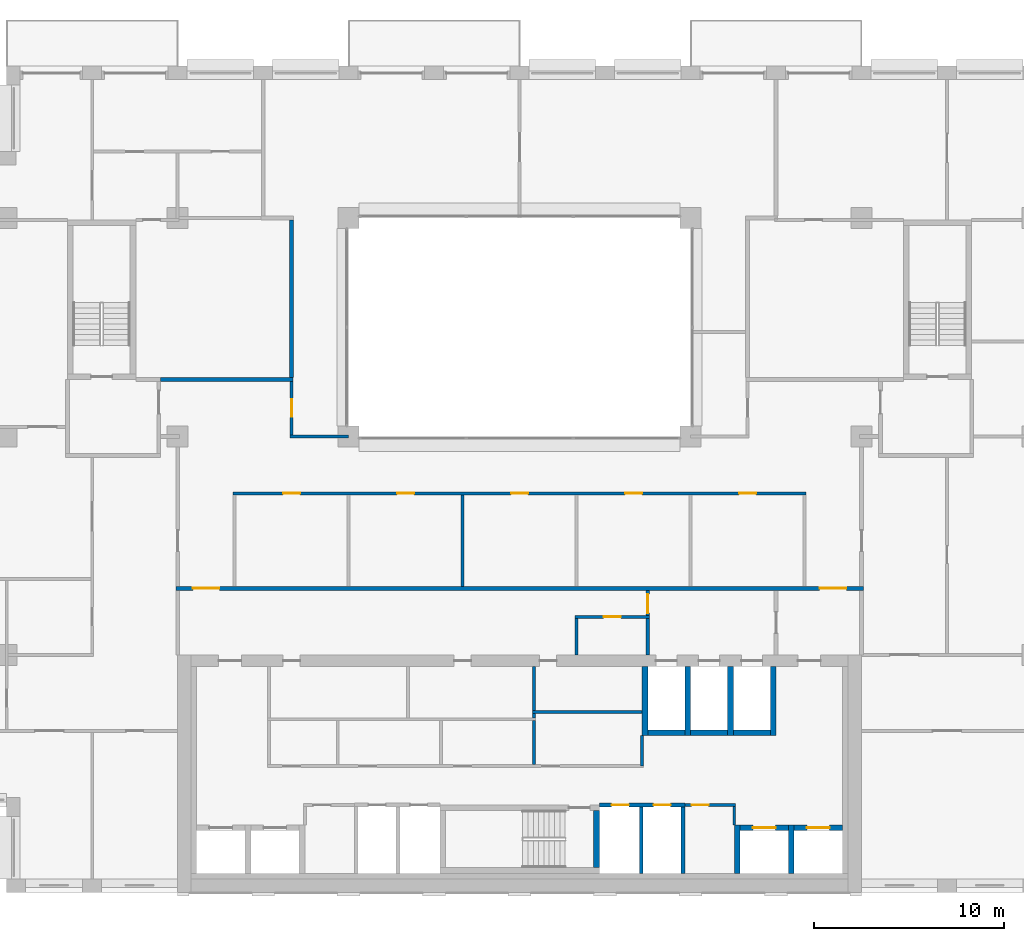
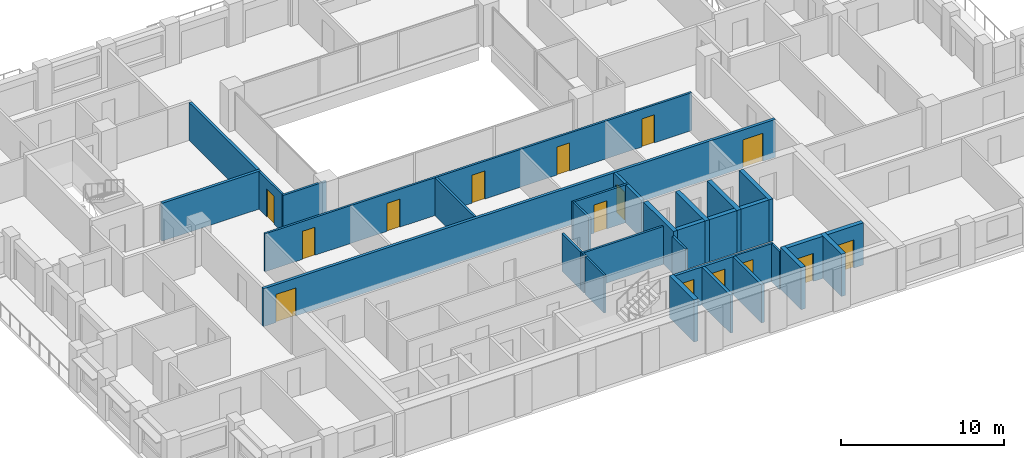
# One storey, part 10 of 16: 33 walls, 15 doors, 15 openings.
"""IFC4 building model written with IfcOpenShell, lengths in metres."""

from ifc_helpers import new_model, si_unit, direction, frame, frame_2d, origin, place, context, subcontext, project, spatial, rectangle, extrude, material, layer, layer_set, type_object, element, fill, save


model = new_model("IFC4")

# Units and contexts
model_context = context("Model", 3, precision=1e-05, world=origin(), true_north=direction((0.0, 1.0)))
body_context = subcontext(model_context, "Body", "Model", "MODEL_VIEW")
ifc_project = project(units=[si_unit("LENGTHUNIT", "METRE"), si_unit("AREAUNIT", "SQUARE_METRE"), si_unit("VOLUMEUNIT", "CUBIC_METRE"), si_unit("PLANEANGLEUNIT", "RADIAN"), si_unit("MASSUNIT", "GRAM", prefix="KILO")], contexts=[model_context])

# Site, building, storey
site_placement = place(None, origin())
site = spatial("IfcSite", under=ifc_project, at=site_placement, CompositionType="ELEMENT")
building_placement = place(site_placement, origin())
building = spatial("IfcBuilding", under=site, at=building_placement, Name="Brigalow Station Residences", CompositionType="ELEMENT")
storey_placement = place(building_placement, frame((0.0, 0.0, 160.199951171875)))
storey = spatial("IfcBuildingStorey", under=building, at=storey_placement, Name="L46", CompositionType="ELEMENT", Elevation=160.199951171875)

# Walls
ifc_material_1 = material(Name="Concrete C65", Category="concrete")
ifc_layer_1 = layer(ifc_material_1, 0.300048828125)
ifc_layer_set_1 = layer_set([ifc_layer_1], Name="CORE SHEAR WALL 300 C65")
wall_type_1 = type_object("IfcWallType", Name="CORE SHEAR WALL 300 C65", PredefinedType="SHEAR", material=ifc_layer_set_1)
wall_1_placement = place(storey_placement, frame((42.75, 8.39990234375, 0.0), z_axis=(0.0, 0.0, 1.0), x_axis=(1.0, 0.0, 0.0)))
element("IfcWall", 1, at=wall_1_placement, inside=storey, type_object=wall_type_1, Name="CORE WALL SH-FF1-S L46", PredefinedType="SHEAR", context=body_context, shape_type="SweptSolid", body=[
    extrude(rectangle(XDim=1.949951171875, YDim=0.300048828125, at=frame_2d((0.97509765625, 0.0))), origin(), (0.0, 0.0, 1.0), 3.150146484375),
])
wall_2_placement = place(storey_placement, frame((42.60009765625, 8.25, 0.0), z_axis=(0.0, 0.0, 1.0), x_axis=(0.0, 1.0, 0.0)))
element("IfcWall", 2, at=wall_2_placement, inside=storey, type_object=wall_type_1, Name="CORE WALL SH-FF1-W L46", PredefinedType="SHEAR", context=body_context, shape_type="SweptSolid", body=[
    extrude(rectangle(XDim=3.64990234375, YDim=0.300048828125, at=frame_2d((1.824951171875, 0.0))), origin(), (0.0, 0.0, 1.0), 3.150146484375),
])
wall_3_placement = place(storey_placement, frame((45.0, 8.39990234375, 0.0), z_axis=(0.0, 0.0, 1.0), x_axis=(1.0, 0.0, 0.0)))
element("IfcWall", 3, at=wall_3_placement, inside=storey, type_object=wall_type_1, Name="CORE WALL SH-FF2-S L46", PredefinedType="SHEAR", context=body_context, shape_type="SweptSolid", body=[
    extrude(rectangle(XDim=1.949951171875, YDim=0.300048828125, at=frame_2d((0.97509765625, 0.0))), origin(), (0.0, 0.0, 1.0), 3.150146484375),
])
wall_4_placement = place(storey_placement, frame((44.85009765625, 8.25, 0.0), z_axis=(0.0, 0.0, 1.0), x_axis=(0.0, 1.0, 0.0)))
element("IfcWall", 4, at=wall_4_placement, inside=storey, type_object=wall_type_1, Name="CORE WALL SH-FF2-W L46", PredefinedType="SHEAR", context=body_context, shape_type="SweptSolid", body=[
    extrude(rectangle(XDim=3.64990234375, YDim=0.300048828125, at=frame_2d((1.824951171875, 0.0))), origin(), (0.0, 0.0, 1.0), 3.150146484375),
])
wall_5_placement = place(storey_placement, frame((47.25, 8.39990234375, 0.0), z_axis=(0.0, 0.0, 1.0), x_axis=(1.0, 0.0, 0.0)))
element("IfcWall", 5, at=wall_5_placement, inside=storey, type_object=wall_type_1, Name="CORE WALL SH-SL1-S L46", PredefinedType="SHEAR", context=body_context, shape_type="SweptSolid", body=[
    extrude(rectangle(XDim=1.949951171875, YDim=0.300048828125, at=frame_2d((0.97509765625, 0.0))), origin(), (0.0, 0.0, 1.0), 3.150146484375),
])
for number, where, z_axis, x_axis, name in (
    (6, (47.10009765625, 8.25, 0.0), (0.0, 0.0, 1.0), (0.0, 1.0, 0.0), "CORE WALL SH-SL1-W L46"),
    (7, (49.35009765625, 8.25, 0.0), (0.0, 0.0, 1.0), (0.0, 1.0, 0.0), "CORE WALL SH-SL1-E L46"),
):
    element("IfcWall", number, at=place(storey_placement, frame(where, z_axis=z_axis, x_axis=x_axis)), inside=storey, type_object=wall_type_1, Name=name, PredefinedType="SHEAR", context=body_context, shape_type="SweptSolid", body=[
        extrude(rectangle(XDim=3.64990234375, YDim=0.300048828125, at=frame_2d((1.824951171875, 0.0))), origin(), (0.0, 0.0, 1.0), 3.150146484375),
    ])

# Wall, opening, door
wall_6_placement = place(storey_placement, frame((47.60009765625, 3.39990234375, 0.0), z_axis=(0.0, 0.0, 1.0), x_axis=(1.0, 0.0, 0.0)))
wall_6 = element("IfcWall", 8, at=wall_6_placement, inside=storey, type_object=wall_type_1, Name="CORE WALL SH-C3-N L46", PredefinedType="SHEAR", context=body_context, shape_type="SweptSolid", body=[
    extrude(rectangle(XDim=2.5498046875, YDim=0.300048828125, at=frame_2d((1.27490234375, 0.0))), origin(), (0.0, 0.0, 1.0), 3.150146484375),
])
opening_1_placement = place(wall_6_placement, frame((0.675048828125, 0.0, 0.0)))
opening_1 = element("IfcOpeningElement", 9, at=opening_1_placement, cuts=wall_6, Name="Opening LD-LB3", PredefinedType="OPENING", context=body_context, shape_type="SweptSolid", body=[
    extrude(rectangle(XDim=1.199951171875, YDim=2.10009765625, at=frame_2d((0.60009765625, 1.050048828125))), frame((0.0, 0.16015625, 0.0), z_axis=(0.0, -1.0, 0.0), x_axis=(1.0, 0.0, 0.0)), (0.0, 0.0, 1.0), 0.320068359375),
])
ifc_material_2 = material(Name="Stainless steel sliding door leaves", Category="steel")
door_type_1 = type_object("IfcDoorType", Name="LIFT LANDING DOOR 1200 x 2100", OperationType="DOUBLE_DOOR_SLIDING", PredefinedType="DOOR", material=ifc_material_2)
door_1_placement = place(opening_1_placement, origin())
door_1 = element("IfcDoor", 10, at=door_1_placement, inside=storey, type_object=door_type_1, Name="LANDING DOOR LB3", OperationType="DOUBLE_DOOR_SLIDING", OverallHeight=2.10009765625, OverallWidth=1.199951171875, PredefinedType="DOOR", context=body_context, shape_type="SweptSolid", body=[
    extrude(rectangle(XDim=1.199951171875, YDim=2.10009765625, at=frame_2d((0.60009765625, 1.050048828125))), frame((0.0, 0.02490234375, 0.0), z_axis=(0.0, -1.0, 0.0), x_axis=(1.0, 0.0, 0.0)), (0.0, 0.0, 1.0), 0.050048828125),
])
fill(opening_1, door_1)

# Wall
wall_7_placement = place(storey_placement, frame((47.449951171875, 1.0, 0.0), z_axis=(0.0, 0.0, 1.0), x_axis=(0.0, 1.0, 0.0)))
element("IfcWall", 11, at=wall_7_placement, inside=storey, type_object=wall_type_1, Name="CORE WALL SH-C3-W L46", PredefinedType="SHEAR", context=body_context, shape_type="SweptSolid", body=[
    extrude(rectangle(XDim=2.550048828125, YDim=0.300048828125, at=frame_2d((1.27490234375, 0.0))), origin(), (0.0, 0.0, 1.0), 3.150146484375),
])

# Wall, opening, door
wall_8_placement = place(storey_placement, frame((50.449951171875, 3.39990234375, 0.0), z_axis=(0.0, 0.0, 1.0), x_axis=(1.0, 0.0, 0.0)))
wall_8 = element("IfcWall", 12, at=wall_8_placement, inside=storey, type_object=wall_type_1, Name="CORE WALL SH-C4-N L46", PredefinedType="SHEAR", context=body_context, shape_type="SweptSolid", body=[
    extrude(rectangle(XDim=2.550048828125, YDim=0.300048828125, at=frame_2d((1.27490234375, 0.0))), origin(), (0.0, 0.0, 1.0), 3.150146484375),
])
opening_2_placement = place(wall_8_placement, frame((0.675048828125, 0.0, 0.0)))
opening_2 = element("IfcOpeningElement", 13, at=opening_2_placement, cuts=wall_8, Name="Opening LD-LB4", PredefinedType="OPENING", context=body_context, shape_type="SweptSolid", body=[
    extrude(rectangle(XDim=1.199951171875, YDim=2.10009765625, at=frame_2d((0.60009765625, 1.050048828125))), frame((0.0, 0.16015625, 0.0), z_axis=(0.0, -1.0, 0.0), x_axis=(1.0, 0.0, 0.0)), (0.0, 0.0, 1.0), 0.320068359375),
])
door_2_placement = place(opening_2_placement, origin())
door_2 = element("IfcDoor", 14, at=door_2_placement, inside=storey, type_object=door_type_1, Name="LANDING DOOR LB4", OperationType="DOUBLE_DOOR_SLIDING", OverallHeight=2.10009765625, OverallWidth=1.199951171875, PredefinedType="DOOR", context=body_context, shape_type="SweptSolid", body=[
    extrude(rectangle(XDim=1.199951171875, YDim=2.10009765625, at=frame_2d((0.60009765625, 1.050048828125))), frame((0.0, 0.02490234375, 0.0), z_axis=(0.0, -1.0, 0.0), x_axis=(1.0, 0.0, 0.0)), (0.0, 0.0, 1.0), 0.050048828125),
])
fill(opening_2, door_2)

# Walls
wall_9_placement = place(storey_placement, frame((50.300048828125, 1.0, 0.0), z_axis=(0.0, 0.0, 1.0), x_axis=(0.0, 1.0, 0.0)))
element("IfcWall", 15, at=wall_9_placement, inside=storey, type_object=wall_type_1, Name="CORE WALL SH-C4-W L46", PredefinedType="SHEAR", context=body_context, shape_type="SweptSolid", body=[
    extrude(rectangle(XDim=2.550048828125, YDim=0.300048828125, at=frame_2d((1.27490234375, 0.0))), origin(), (0.0, 0.0, 1.0), 3.150146484375),
])
wall_10_placement = place(storey_placement, frame((40.050048828125, 1.300048828125, 0.0), z_axis=(0.0, 0.0, 1.0), x_axis=(0.0, 1.0, 0.0)))
element("IfcWall", 16, at=wall_10_placement, inside=storey, type_object=wall_type_1, Name="CORE WALL ST-S2-E L46", PredefinedType="SHEAR", context=body_context, shape_type="SweptSolid", body=[
    extrude(rectangle(XDim=3.0, YDim=0.300048828125, at=frame_2d((1.5, 0.0))), origin(), (0.0, 0.0, 1.0), 3.150146484375),
])

# Wall, openings, doors
ifc_material_3 = material(Name="Concrete blockwork", Category="masonry")
ifc_layer_2 = layer(ifc_material_3, 0.199951171875)
ifc_layer_set_2 = layer_set([ifc_layer_2], Name="FIRE RATED CORE PARTITION 200")
wall_type_2 = type_object("IfcWallType", Name="FIRE RATED CORE PARTITION 200", PredefinedType="PARTITIONING", material=ifc_layer_set_2)
wall_11_placement = place(storey_placement, frame((40.199951171875, 4.60009765625, 0.0), z_axis=(0.0, 0.0, 1.0), x_axis=(1.0, 0.0, 0.0)))
wall_11 = element("IfcWall", 17, at=wall_11_placement, inside=storey, type_object=wall_type_2, Name="PW-5018", PredefinedType="PARTITIONING", context=body_context, shape_type="SweptSolid", body=[
    extrude(rectangle(XDim=4.5, YDim=0.199951171875, at=frame_2d((2.25, 0.0))), origin(), (0.0, 0.0, 1.0), 2.830078125),
])
opening_3_placement = place(wall_11_placement, frame((0.64990234375, 0.0, 0.0)))
opening_3 = element("IfcOpeningElement", 18, at=opening_3_placement, cuts=wall_11, Name="Opening D-5009", PredefinedType="OPENING", context=body_context, shape_type="SweptSolid", body=[
    extrude(rectangle(XDim=0.89990234375, YDim=2.10009765625, at=frame_2d((0.449951171875, 1.050048828125))), frame((0.0, 0.10986328125, 0.0), z_axis=(0.0, -1.0, 0.0), x_axis=(1.0, 0.0, 0.0)), (0.0, 0.0, 1.0), 0.219970703125),
])
opening_4_placement = place(wall_11_placement, frame((2.85009765625, 0.0, 0.0)))
opening_4 = element("IfcOpeningElement", 19, at=opening_4_placement, cuts=wall_11, Name="Opening D-5010", PredefinedType="OPENING", context=body_context, shape_type="SweptSolid", body=[
    extrude(rectangle(XDim=0.89990234375, YDim=2.10009765625, at=frame_2d((0.449951171875, 1.050048828125))), frame((0.0, 0.10986328125, 0.0), z_axis=(0.0, -1.0, 0.0), x_axis=(1.0, 0.0, 0.0)), (0.0, 0.0, 1.0), 0.219970703125),
])
ifc_material_4 = material(Name="Steel fire door leaf in steel frame", Category="steel")
door_type_2 = type_object("IfcDoorType", Name="RISER ACCESS DOOR 900 x 2100 FD120", OperationType="SINGLE_SWING_LEFT", PredefinedType="DOOR", material=ifc_material_4)
door_3_placement = place(opening_3_placement, frame((0.89990234375, 0.0, 0.0), z_axis=(0.0, 0.0, 1.0), x_axis=(-1.0, 0.0, 0.0)))
door_3 = element("IfcDoor", 20, at=door_3_placement, inside=storey, type_object=door_type_2, Name="D-5009", OperationType="SINGLE_SWING_LEFT", OverallHeight=2.10009765625, OverallWidth=0.89990234375, PredefinedType="DOOR", context=body_context, shape_type="SweptSolid", body=[
    extrude(rectangle(XDim=0.89990234375, YDim=2.10009765625, at=frame_2d((0.449951171875, 1.050048828125))), frame((0.0, 0.02490234375, 0.0), z_axis=(0.0, -1.0, 0.0), x_axis=(1.0, 0.0, 0.0)), (0.0, 0.0, 1.0), 0.050048828125),
])
fill(opening_3, door_3)
door_4_placement = place(opening_4_placement, frame((0.89990234375, 0.0, 0.0), z_axis=(0.0, 0.0, 1.0), x_axis=(-1.0, 0.0, 0.0)))
door_4 = element("IfcDoor", 21, at=door_4_placement, inside=storey, type_object=door_type_2, Name="D-5010", OperationType="SINGLE_SWING_LEFT", OverallHeight=2.10009765625, OverallWidth=0.89990234375, PredefinedType="DOOR", context=body_context, shape_type="SweptSolid", body=[
    extrude(rectangle(XDim=0.89990234375, YDim=2.10009765625, at=frame_2d((0.449951171875, 1.050048828125))), frame((0.0, 0.02490234375, 0.0), z_axis=(0.0, -1.0, 0.0), x_axis=(1.0, 0.0, 0.0)), (0.0, 0.0, 1.0), 0.050048828125),
])
fill(opening_4, door_4)

# Walls
for number, where, z_axis, x_axis, name in (
    (22, (42.39990234375, 1.0, 0.0), (0.0, 0.0, 1.0), (0.0, 1.0, 0.0), "PW-5007"),
    (23, (44.60009765625, 1.0, 0.0), (0.0, 0.0, 1.0), (0.0, 1.0, 0.0), "PW-5008"),
):
    element("IfcWall", number, at=place(storey_placement, frame(where, z_axis=z_axis, x_axis=x_axis)), inside=storey, type_object=wall_type_2, Name=name, PredefinedType="PARTITIONING", context=body_context, shape_type="SweptSolid", body=[
        extrude(rectangle(XDim=3.5, YDim=0.199951171875, at=frame_2d((1.75, 0.0))), origin(), (0.0, 0.0, 1.0), 2.830078125),
    ])
wall_12_placement = place(storey_placement, frame((42.75, 12.5, 0.0), z_axis=(0.0, 0.0, 1.0), x_axis=(0.0, 1.0, 0.0)))
element("IfcWall", 24, at=wall_12_placement, inside=storey, type_object=wall_type_2, Name="PW-5046", PredefinedType="PARTITIONING", context=body_context, shape_type="SweptSolid", body=[
    extrude(rectangle(XDim=1.925048828125, YDim=0.199951171875, at=frame_2d((0.96240234375, 0.0))), origin(), (0.0, 0.0, 1.0), 2.830078125),
])

# Wall, opening, door
wall_13_placement = place(storey_placement, frame((42.75, 14.574951171875, 0.0), z_axis=(0.0, 0.0, 1.0), x_axis=(0.0, 1.0, 0.0)))
wall_13 = element("IfcWall", 25, at=wall_13_placement, inside=storey, type_object=wall_type_2, Name="PW-5047", PredefinedType="PARTITIONING", context=body_context, shape_type="SweptSolid", body=[
    extrude(rectangle(XDim=1.324951171875, YDim=0.199951171875, at=frame_2d((0.66259765625, 0.0))), origin(), (0.0, 0.0, 1.0), 2.830078125),
])
opening_5_placement = place(wall_13_placement, frame((0.125, 0.0, 0.0)))
opening_5 = element("IfcOpeningElement", 26, at=opening_5_placement, cuts=wall_13, Name="Opening D-5013", PredefinedType="OPENING", context=body_context, shape_type="SweptSolid", body=[
    extrude(rectangle(XDim=1.0, YDim=2.10009765625, at=frame_2d((0.5, 1.050048828125))), frame((0.0, 0.10986328125, 0.0), z_axis=(0.0, -1.0, 0.0), x_axis=(1.0, 0.0, 0.0)), (0.0, 0.0, 1.0), 0.219970703125),
])
ifc_material_5 = material(Name="Steel fire door leaf in steel frame", Category="steel")
door_type_3 = type_object("IfcDoorType", Name="LOBBY DOOR 1000 x 2100 FD60S", OperationType="SINGLE_SWING_LEFT", PredefinedType="DOOR", material=ifc_material_5)
door_5_placement = place(opening_5_placement, origin())
door_5 = element("IfcDoor", 27, at=door_5_placement, inside=storey, type_object=door_type_3, Name="D-5013", OperationType="SINGLE_SWING_LEFT", OverallHeight=2.10009765625, OverallWidth=1.0, PredefinedType="DOOR", context=body_context, shape_type="SweptSolid", body=[
    extrude(rectangle(XDim=1.0, YDim=2.10009765625, at=frame_2d((0.5, 1.050048828125))), frame((0.0, 0.02490234375, 0.0), z_axis=(0.0, -1.0, 0.0), x_axis=(1.0, 0.0, 0.0)), (0.0, 0.0, 1.0), 0.050048828125),
])
fill(opening_5, door_5)

# Wall
ifc_material_6 = material(Name="Plasterboard on steel stud partition", Category="steel")
ifc_layer_3 = layer(ifc_material_6, 0.14990234375)
ifc_layer_set_3 = layer_set([ifc_layer_3], Name="FLAT PARTITION 150")
wall_type_3 = type_object("IfcWallType", Name="FLAT PARTITION 150", PredefinedType="PARTITIONING", material=ifc_layer_set_3)
wall_14_placement = place(storey_placement, frame((23.925048828125, 24.0, 0.0), z_axis=(0.0, 0.0, 1.0), x_axis=(1.0, 0.0, 0.0)))
element("IfcWall", 28, at=wall_14_placement, inside=storey, type_object=wall_type_3, Name="PW-3C01", PredefinedType="PARTITIONING", context=body_context, shape_type="SweptSolid", body=[
    extrude(rectangle(XDim=3.074951171875, YDim=0.14990234375, at=frame_2d((1.53759765625, 0.0))), origin(), (0.0, 0.0, 1.0), 2.830078125),
])

# Wall, openings, doors
wall_15_placement = place(storey_placement, frame((20.925048828125, 21.0, 0.0), z_axis=(0.0, 0.0, 1.0), x_axis=(1.0, 0.0, 0.0)))
wall_15 = element("IfcWall", 29, at=wall_15_placement, inside=storey, type_object=wall_type_3, Name="PW-3C06", PredefinedType="PARTITIONING", context=body_context, shape_type="SweptSolid", body=[
    extrude(rectangle(XDim=30.14990234375, YDim=0.14990234375, at=frame_2d((15.074951171875, 0.0))), origin(), (0.0, 0.0, 1.0), 2.830078125),
])
opening_6_placement = place(wall_15_placement, frame((2.625, 0.0, 0.0)))
opening_6 = element("IfcOpeningElement", 30, at=opening_6_placement, cuts=wall_15, Name="Opening D-3C34", PredefinedType="OPENING", context=body_context, shape_type="SweptSolid", body=[
    extrude(rectangle(XDim=0.89990234375, YDim=2.10009765625, at=frame_2d((0.449951171875, 1.050048828125))), frame((0.0, 0.0849609375, 0.0), z_axis=(0.0, -1.0, 0.0), x_axis=(1.0, 0.0, 0.0)), (0.0, 0.0, 1.0), 0.169921875),
])
opening_7_placement = place(wall_15_placement, frame((8.625, 0.0, 0.0)))
opening_7 = element("IfcOpeningElement", 31, at=opening_7_placement, cuts=wall_15, Name="Opening D-3C35", PredefinedType="OPENING", context=body_context, shape_type="SweptSolid", body=[
    extrude(rectangle(XDim=0.89990234375, YDim=2.10009765625, at=frame_2d((0.449951171875, 1.050048828125))), frame((0.0, 0.0849609375, 0.0), z_axis=(0.0, -1.0, 0.0), x_axis=(1.0, 0.0, 0.0)), (0.0, 0.0, 1.0), 0.169921875),
])
opening_8_placement = place(wall_15_placement, frame((14.625, 0.0, 0.0)))
opening_8 = element("IfcOpeningElement", 32, at=opening_8_placement, cuts=wall_15, Name="Opening D-3C36", PredefinedType="OPENING", context=body_context, shape_type="SweptSolid", body=[
    extrude(rectangle(XDim=0.89990234375, YDim=2.10009765625, at=frame_2d((0.449951171875, 1.050048828125))), frame((0.0, 0.0849609375, 0.0), z_axis=(0.0, -1.0, 0.0), x_axis=(1.0, 0.0, 0.0)), (0.0, 0.0, 1.0), 0.169921875),
])
opening_9_placement = place(wall_15_placement, frame((20.625, 0.0, 0.0)))
opening_9 = element("IfcOpeningElement", 33, at=opening_9_placement, cuts=wall_15, Name="Opening D-3C37", PredefinedType="OPENING", context=body_context, shape_type="SweptSolid", body=[
    extrude(rectangle(XDim=0.89990234375, YDim=2.10009765625, at=frame_2d((0.449951171875, 1.050048828125))), frame((0.0, 0.0849609375, 0.0), z_axis=(0.0, -1.0, 0.0), x_axis=(1.0, 0.0, 0.0)), (0.0, 0.0, 1.0), 0.169921875),
])
opening_10_placement = place(wall_15_placement, frame((26.625, 0.0, 0.0)))
opening_10 = element("IfcOpeningElement", 34, at=opening_10_placement, cuts=wall_15, Name="Opening D-3C38", PredefinedType="OPENING", context=body_context, shape_type="SweptSolid", body=[
    extrude(rectangle(XDim=0.89990234375, YDim=2.10009765625, at=frame_2d((0.449951171875, 1.050048828125))), frame((0.0, 0.0849609375, 0.0), z_axis=(0.0, -1.0, 0.0), x_axis=(1.0, 0.0, 0.0)), (0.0, 0.0, 1.0), 0.169921875),
])
ifc_material_7 = material(Name="Solid-core timber door leaf", Category="wood")
door_type_4 = type_object("IfcDoorType", Name="INTERNAL DOOR 900 x 2100", OperationType="SINGLE_SWING_LEFT", PredefinedType="DOOR", material=ifc_material_7)
door_6_placement = place(opening_6_placement, frame((0.89990234375, 0.0, 0.0), z_axis=(0.0, 0.0, 1.0), x_axis=(-1.0, 0.0, 0.0)))
door_6 = element("IfcDoor", 35, at=door_6_placement, inside=storey, type_object=door_type_4, Name="D-3C34", OperationType="SINGLE_SWING_RIGHT", OverallHeight=2.10009765625, OverallWidth=0.89990234375, PredefinedType="DOOR", context=body_context, shape_type="SweptSolid", body=[
    extrude(rectangle(XDim=0.89990234375, YDim=2.10009765625, at=frame_2d((0.449951171875, 1.050048828125))), frame((0.0, 0.02490234375, 0.0), z_axis=(0.0, -1.0, 0.0), x_axis=(1.0, 0.0, 0.0)), (0.0, 0.0, 1.0), 0.050048828125),
])
fill(opening_6, door_6)
door_7_placement = place(opening_7_placement, frame((0.89990234375, 0.0, 0.0), z_axis=(0.0, 0.0, 1.0), x_axis=(-1.0, 0.0, 0.0)))
door_7 = element("IfcDoor", 36, at=door_7_placement, inside=storey, type_object=door_type_4, Name="D-3C35", OperationType="SINGLE_SWING_RIGHT", OverallHeight=2.10009765625, OverallWidth=0.89990234375, PredefinedType="DOOR", context=body_context, shape_type="SweptSolid", body=[
    extrude(rectangle(XDim=0.89990234375, YDim=2.10009765625, at=frame_2d((0.449951171875, 1.050048828125))), frame((0.0, 0.02490234375, 0.0), z_axis=(0.0, -1.0, 0.0), x_axis=(1.0, 0.0, 0.0)), (0.0, 0.0, 1.0), 0.050048828125),
])
fill(opening_7, door_7)
door_8_placement = place(opening_8_placement, frame((0.89990234375, 0.0, 0.0), z_axis=(0.0, 0.0, 1.0), x_axis=(-1.0, 0.0, 0.0)))
door_8 = element("IfcDoor", 37, at=door_8_placement, inside=storey, type_object=door_type_4, Name="D-3C36", OperationType="SINGLE_SWING_RIGHT", OverallHeight=2.10009765625, OverallWidth=0.89990234375, PredefinedType="DOOR", context=body_context, shape_type="SweptSolid", body=[
    extrude(rectangle(XDim=0.89990234375, YDim=2.10009765625, at=frame_2d((0.449951171875, 1.050048828125))), frame((0.0, 0.02490234375, 0.0), z_axis=(0.0, -1.0, 0.0), x_axis=(1.0, 0.0, 0.0)), (0.0, 0.0, 1.0), 0.050048828125),
])
fill(opening_8, door_8)
door_9_placement = place(opening_9_placement, frame((0.89990234375, 0.0, 0.0), z_axis=(0.0, 0.0, 1.0), x_axis=(-1.0, 0.0, 0.0)))
door_9 = element("IfcDoor", 38, at=door_9_placement, inside=storey, type_object=door_type_4, Name="D-3C37", OperationType="SINGLE_SWING_RIGHT", OverallHeight=2.10009765625, OverallWidth=0.89990234375, PredefinedType="DOOR", context=body_context, shape_type="SweptSolid", body=[
    extrude(rectangle(XDim=0.89990234375, YDim=2.10009765625, at=frame_2d((0.449951171875, 1.050048828125))), frame((0.0, 0.02490234375, 0.0), z_axis=(0.0, -1.0, 0.0), x_axis=(1.0, 0.0, 0.0)), (0.0, 0.0, 1.0), 0.050048828125),
])
fill(opening_9, door_9)
door_10_placement = place(opening_10_placement, frame((0.89990234375, 0.0, 0.0), z_axis=(0.0, 0.0, 1.0), x_axis=(-1.0, 0.0, 0.0)))
door_10 = element("IfcDoor", 39, at=door_10_placement, inside=storey, type_object=door_type_4, Name="D-3C38", OperationType="SINGLE_SWING_LEFT", OverallHeight=2.10009765625, OverallWidth=0.89990234375, PredefinedType="DOOR", context=body_context, shape_type="SweptSolid", body=[
    extrude(rectangle(XDim=0.89990234375, YDim=2.10009765625, at=frame_2d((0.449951171875, 1.050048828125))), frame((0.0, 0.02490234375, 0.0), z_axis=(0.0, -1.0, 0.0), x_axis=(1.0, 0.0, 0.0)), (0.0, 0.0, 1.0), 0.050048828125),
])
fill(opening_10, door_10)

# Wall, opening, door
wall_16_placement = place(storey_placement, frame((24.0, 24.074951171875, 0.0), z_axis=(0.0, 0.0, 1.0), x_axis=(0.0, 1.0, 0.0)))
wall_16 = element("IfcWall", 40, at=wall_16_placement, inside=storey, type_object=wall_type_3, Name="PW-3C32", PredefinedType="PARTITIONING", context=body_context, shape_type="SweptSolid", body=[
    extrude(rectangle(XDim=2.824951171875, YDim=0.14990234375, at=frame_2d((1.41259765625, 0.0))), origin(), (0.0, 0.0, 1.0), 2.830078125),
])
opening_11_placement = place(wall_16_placement, frame((0.97509765625, 0.0, 0.0)))
opening_11 = element("IfcOpeningElement", 41, at=opening_11_placement, cuts=wall_16, Name="Opening D-3C31", PredefinedType="OPENING", context=body_context, shape_type="SweptSolid", body=[
    extrude(rectangle(XDim=0.89990234375, YDim=2.10009765625, at=frame_2d((0.449951171875, 1.050048828125))), frame((0.0, 0.0849609375, 0.0), z_axis=(0.0, -1.0, 0.0), x_axis=(1.0, 0.0, 0.0)), (0.0, 0.0, 1.0), 0.169921875),
])
door_11_placement = place(opening_11_placement, origin())
door_11 = element("IfcDoor", 42, at=door_11_placement, inside=storey, type_object=door_type_4, Name="D-3C31", OperationType="SINGLE_SWING_RIGHT", OverallHeight=2.10009765625, OverallWidth=0.89990234375, PredefinedType="DOOR", context=body_context, shape_type="SweptSolid", body=[
    extrude(rectangle(XDim=0.89990234375, YDim=2.10009765625, at=frame_2d((0.449951171875, 1.050048828125))), frame((0.0, 0.02490234375, 0.0), z_axis=(0.0, -1.0, 0.0), x_axis=(1.0, 0.0, 0.0)), (0.0, 0.0, 1.0), 0.050048828125),
])
fill(opening_11, door_11)

# Walls
wall_17_placement = place(storey_placement, frame((33.0, 16.10009765625, 0.0), z_axis=(0.0, 0.0, 1.0), x_axis=(0.0, 1.0, 0.0)))
element("IfcWall", 43, at=wall_17_placement, inside=storey, type_object=wall_type_3, Name="PW-3C52", PredefinedType="PARTITIONING", context=body_context, shape_type="SweptSolid", body=[
    extrude(rectangle(XDim=4.824951171875, YDim=0.14990234375, at=frame_2d((2.41259765625, 0.0))), origin(), (0.0, 0.0, 1.0), 2.830078125),
])
ifc_material_8 = material(Name="Plasterboard on steel stud partition", Category="steel")
ifc_layer_4 = layer(ifc_material_8, 0.199951171875)
ifc_layer_set_4 = layer_set([ifc_layer_4], Name="PARTY AND CORRIDOR WALL 200")
wall_type_4 = type_object("IfcWallType", Name="PARTY AND CORRIDOR WALL 200", PredefinedType="PARTITIONING", material=ifc_layer_set_4)
wall_18_placement = place(storey_placement, frame((17.10009765625, 27.0, 0.0), z_axis=(0.0, 0.0, 1.0), x_axis=(1.0, 0.0, 0.0)))
element("IfcWall", 44, at=wall_18_placement, inside=storey, type_object=wall_type_4, Name="PW-3C07", PredefinedType="PARTITIONING", context=body_context, shape_type="SweptSolid", body=[
    extrude(rectangle(XDim=6.974853515625, YDim=0.199951171875, at=frame_2d((3.4873046875, 0.0))), origin(), (0.0, 0.0, 1.0), 2.830078125),
])

# Wall, openings, doors
wall_19_placement = place(storey_placement, frame((17.89990234375, 16.0, 0.0), z_axis=(0.0, 0.0, 1.0), x_axis=(1.0, 0.0, 0.0)))
wall_19 = element("IfcWall", 45, at=wall_19_placement, inside=storey, type_object=wall_type_4, Name="PW-3C26", PredefinedType="PARTITIONING", context=body_context, shape_type="SweptSolid", body=[
    extrude(rectangle(XDim=36.2001953125, YDim=0.199951171875, at=frame_2d((18.10009765625, 0.0))), origin(), (0.0, 0.0, 1.0), 2.830078125),
])
opening_12_placement = place(wall_19_placement, frame((0.89990234375, 0.0, 0.0)))
opening_12 = element("IfcOpeningElement", 46, at=opening_12_placement, cuts=wall_19, Name="Opening D-3C01", PredefinedType="OPENING", context=body_context, shape_type="SweptSolid", body=[
    extrude(rectangle(XDim=1.39990234375, YDim=2.10009765625, at=frame_2d((0.699951171875, 1.050048828125))), frame((0.0, 0.10986328125, 0.0), z_axis=(0.0, -1.0, 0.0), x_axis=(1.0, 0.0, 0.0)), (0.0, 0.0, 1.0), 0.219970703125),
])
opening_13_placement = place(wall_19_placement, frame((33.89990234375, 0.0, 0.0)))
opening_13 = element("IfcOpeningElement", 47, at=opening_13_placement, cuts=wall_19, Name="Opening D-3C02", PredefinedType="OPENING", context=body_context, shape_type="SweptSolid", body=[
    extrude(rectangle(XDim=1.39990234375, YDim=2.10009765625, at=frame_2d((0.699951171875, 1.050048828125))), frame((0.0, 0.10986328125, 0.0), z_axis=(0.0, -1.0, 0.0), x_axis=(1.0, 0.0, 0.0)), (0.0, 0.0, 1.0), 0.219970703125),
])
ifc_material_9 = material(Name="Solid-core timber door leaf", Category="wood")
door_type_5 = type_object("IfcDoorType", Name="CORRIDOR FIRE DOOR 1400 x 2100 FRL -/60/30", OperationType="DOUBLE_DOOR_SINGLE_SWING", PredefinedType="DOOR", material=ifc_material_9)
door_12_placement = place(opening_12_placement, frame((1.39990234375, 0.0, 0.0), z_axis=(0.0, 0.0, 1.0), x_axis=(-1.0, 0.0, 0.0)))
door_12 = element("IfcDoor", 48, at=door_12_placement, inside=storey, type_object=door_type_5, Name="D-3C01", OperationType="DOUBLE_DOOR_SINGLE_SWING", OverallHeight=2.10009765625, OverallWidth=1.39990234375, PredefinedType="DOOR", context=body_context, shape_type="SweptSolid", body=[
    extrude(rectangle(XDim=1.39990234375, YDim=2.10009765625, at=frame_2d((0.699951171875, 1.050048828125))), frame((0.0, 0.02490234375, 0.0), z_axis=(0.0, -1.0, 0.0), x_axis=(1.0, 0.0, 0.0)), (0.0, 0.0, 1.0), 0.050048828125),
])
fill(opening_12, door_12)
door_13_placement = place(opening_13_placement, frame((1.39990234375, 0.0, 0.0), z_axis=(0.0, 0.0, 1.0), x_axis=(-1.0, 0.0, 0.0)))
door_13 = element("IfcDoor", 49, at=door_13_placement, inside=storey, type_object=door_type_5, Name="D-3C02", OperationType="DOUBLE_DOOR_SINGLE_SWING", OverallHeight=2.10009765625, OverallWidth=1.39990234375, PredefinedType="DOOR", context=body_context, shape_type="SweptSolid", body=[
    extrude(rectangle(XDim=1.39990234375, YDim=2.10009765625, at=frame_2d((0.699951171875, 1.050048828125))), frame((0.0, 0.02490234375, 0.0), z_axis=(0.0, -1.0, 0.0), x_axis=(1.0, 0.0, 0.0)), (0.0, 0.0, 1.0), 0.050048828125),
])
fill(opening_13, door_13)

# Wall
wall_20_placement = place(storey_placement, frame((24.0, 27.10009765625, 0.0), z_axis=(0.0, 0.0, 1.0), x_axis=(0.0, 1.0, 0.0)))
element("IfcWall", 50, at=wall_20_placement, inside=storey, type_object=wall_type_4, Name="PW-3C33", PredefinedType="PARTITIONING", context=body_context, shape_type="SweptSolid", body=[
    extrude(rectangle(XDim=8.2998046875, YDim=0.199951171875, at=frame_2d((4.14990234375, 0.0))), origin(), (0.0, 0.0, 1.0), 2.830078125),
])

# Wall, opening, door
ifc_material_10 = material(Name="Plasterboard on steel studs", Category="steel")
ifc_layer_5 = layer(ifc_material_10, 0.14990234375)
ifc_layer_set_5 = layer_set([ifc_layer_5], Name="SERVICE ROOM PARTITION 150")
wall_type_5 = type_object("IfcWallType", Name="SERVICE ROOM PARTITION 150", PredefinedType="PARTITIONING", material=ifc_layer_set_5)
wall_21_placement = place(storey_placement, frame((44.699951171875, 4.60009765625, 0.0), z_axis=(0.0, 0.0, 1.0), x_axis=(1.0, 0.0, 0.0)))
wall_21 = element("IfcWall", 51, at=wall_21_placement, inside=storey, type_object=wall_type_5, Name="PW-5156", PredefinedType="PARTITIONING", context=body_context, shape_type="SweptSolid", body=[
    extrude(rectangle(XDim=2.675048828125, YDim=0.14990234375, at=frame_2d((1.33740234375, 0.0))), origin(), (0.0, 0.0, 1.0), 2.830078125),
])
opening_14_placement = place(wall_21_placement, frame((0.35009765625, 0.0, 0.0)))
opening_14 = element("IfcOpeningElement", 52, at=opening_14_placement, cuts=wall_21, Name="Opening D-5026", PredefinedType="OPENING", context=body_context, shape_type="SweptSolid", body=[
    extrude(rectangle(XDim=0.89990234375, YDim=2.10009765625, at=frame_2d((0.449951171875, 1.050048828125))), frame((0.0, 0.0849609375, 0.0), z_axis=(0.0, -1.0, 0.0), x_axis=(1.0, 0.0, 0.0)), (0.0, 0.0, 1.0), 0.169921875),
])
ifc_material_11 = material(Name="Steel door leaf in steel frame", Category="steel")
door_type_6 = type_object("IfcDoorType", Name="SERVICE ROOM DOOR 900 x 2100 FD60", OperationType="SINGLE_SWING_LEFT", PredefinedType="DOOR", material=ifc_material_11)
door_14_placement = place(opening_14_placement, frame((0.89990234375, 0.0, 0.0), z_axis=(0.0, 0.0, 1.0), x_axis=(-1.0, 0.0, 0.0)))
door_14 = element("IfcDoor", 53, at=door_14_placement, inside=storey, type_object=door_type_6, Name="D-5026", OperationType="SINGLE_SWING_RIGHT", OverallHeight=2.10009765625, OverallWidth=0.89990234375, PredefinedType="DOOR", context=body_context, shape_type="SweptSolid", body=[
    extrude(rectangle(XDim=0.89990234375, YDim=2.10009765625, at=frame_2d((0.449951171875, 1.050048828125))), frame((0.0, 0.02490234375, 0.0), z_axis=(0.0, -1.0, 0.0), x_axis=(1.0, 0.0, 0.0)), (0.0, 0.0, 1.0), 0.050048828125),
])
fill(opening_14, door_14)

# Wall
wall_22_placement = place(storey_placement, frame((36.675048828125, 9.5, 0.0), z_axis=(0.0, 0.0, 1.0), x_axis=(1.0, 0.0, 0.0)))
element("IfcWall", 54, at=wall_22_placement, inside=storey, type_object=wall_type_5, Name="PW-5215", PredefinedType="PARTITIONING", context=body_context, shape_type="SweptSolid", body=[
    extrude(rectangle(XDim=5.77490234375, YDim=0.14990234375, at=frame_2d((2.887451171875, 0.0))), origin(), (0.0, 0.0, 1.0), 2.830078125),
])

# Wall, opening, door
wall_23_placement = place(storey_placement, frame((38.925048828125, 14.5, 0.0), z_axis=(0.0, 0.0, 1.0), x_axis=(1.0, 0.0, 0.0)))
wall_23 = element("IfcWall", 55, at=wall_23_placement, inside=storey, type_object=wall_type_5, Name="PW-5129", PredefinedType="PARTITIONING", context=body_context, shape_type="SweptSolid", body=[
    extrude(rectangle(XDim=3.925048828125, YDim=0.14990234375, at=frame_2d((1.96240234375, 0.0))), origin(), (0.0, 0.0, 1.0), 2.830078125),
])
opening_15_placement = place(wall_23_placement, frame((1.5, 0.0, 0.0)))
opening_15 = element("IfcOpeningElement", 56, at=opening_15_placement, cuts=wall_23, Name="Opening D-5076", PredefinedType="OPENING", context=body_context, shape_type="SweptSolid", body=[
    extrude(rectangle(XDim=0.89990234375, YDim=2.10009765625, at=frame_2d((0.449951171875, 1.050048828125))), frame((0.0, 0.0849609375, 0.0), z_axis=(0.0, -1.0, 0.0), x_axis=(1.0, 0.0, 0.0)), (0.0, 0.0, 1.0), 0.169921875),
])
door_15_placement = place(opening_15_placement, frame((0.89990234375, 0.0, 0.0), z_axis=(0.0, 0.0, 1.0), x_axis=(-1.0, 0.0, 0.0)))
door_15 = element("IfcDoor", 57, at=door_15_placement, inside=storey, type_object=door_type_6, Name="D-5076", OperationType="SINGLE_SWING_LEFT", OverallHeight=2.10009765625, OverallWidth=0.89990234375, PredefinedType="DOOR", context=body_context, shape_type="SweptSolid", body=[
    extrude(rectangle(XDim=0.89990234375, YDim=2.10009765625, at=frame_2d((0.449951171875, 1.050048828125))), frame((0.0, 0.02490234375, 0.0), z_axis=(0.0, -1.0, 0.0), x_axis=(1.0, 0.0, 0.0)), (0.0, 0.0, 1.0), 0.050048828125),
])
fill(opening_15, door_15)

# Walls
wall_24_placement = place(storey_placement, frame((47.300048828125, 3.550048828125, 0.0), z_axis=(0.0, 0.0, 1.0), x_axis=(0.0, 1.0, 0.0)))
element("IfcWall", 58, at=wall_24_placement, inside=storey, type_object=wall_type_5, Name="PW-5158", PredefinedType="PARTITIONING", context=body_context, shape_type="SweptSolid", body=[
    extrude(rectangle(XDim=0.974853515625, YDim=0.14990234375, at=frame_2d((0.4873046875, 0.0))), origin(), (0.0, 0.0, 1.0), 2.830078125),
])
wall_25_placement = place(storey_placement, frame((42.449951171875, 6.64990234375, 0.0), z_axis=(0.0, 0.0, 1.0), x_axis=(0.0, 1.0, 0.0)))
element("IfcWall", 59, at=wall_25_placement, inside=storey, type_object=wall_type_5, Name="PW-5029", PredefinedType="PARTITIONING", context=body_context, shape_type="SweptSolid", body=[
    extrude(rectangle(XDim=1.60009765625, YDim=0.14990234375, at=frame_2d((0.800048828125, 0.0))), origin(), (0.0, 0.0, 1.0), 2.830078125),
])
wall_26_placement = place(storey_placement, frame((36.75, 6.72509765625, 0.0), z_axis=(0.0, 0.0, 1.0), x_axis=(0.0, 1.0, 0.0)))
element("IfcWall", 60, at=wall_26_placement, inside=storey, type_object=wall_type_5, Name="PW-5219", PredefinedType="PARTITIONING", context=body_context, shape_type="SweptSolid", body=[
    extrude(rectangle(XDim=2.309814453125, YDim=0.14990234375, at=frame_2d((1.15478515625, 0.0))), origin(), (0.0, 0.0, 1.0), 2.830078125),
])
wall_27_placement = place(storey_placement, frame((36.75, 9.18505859375, 0.0), z_axis=(0.0, 0.0, 1.0), x_axis=(0.0, 1.0, 0.0)))
element("IfcWall", 61, at=wall_27_placement, inside=storey, type_object=wall_type_5, Name="PW-5222", PredefinedType="PARTITIONING", context=body_context, shape_type="SweptSolid", body=[
    extrude(rectangle(XDim=0.239990234375, YDim=0.14990234375, at=frame_2d((0.1201171875, 0.0))), origin(), (0.0, 0.0, 1.0), 2.830078125),
])
wall_28_placement = place(storey_placement, frame((36.75, 9.574951171875, 0.0), z_axis=(0.0, 0.0, 1.0), x_axis=(0.0, 1.0, 0.0)))
element("IfcWall", 62, at=wall_28_placement, inside=storey, type_object=wall_type_5, Name="PW-5223", PredefinedType="PARTITIONING", context=body_context, shape_type="SweptSolid", body=[
    extrude(rectangle(XDim=2.324951171875, YDim=0.14990234375, at=frame_2d((1.16259765625, 0.0))), origin(), (0.0, 0.0, 1.0), 2.830078125),
])
wall_29_placement = place(storey_placement, frame((39.0, 12.5, 0.0), z_axis=(0.0, 0.0, 1.0), x_axis=(0.0, 1.0, 0.0)))
element("IfcWall", 63, at=wall_29_placement, inside=storey, type_object=wall_type_5, Name="PW-5136", PredefinedType="PARTITIONING", context=body_context, shape_type="SweptSolid", body=[
    extrude(rectangle(XDim=1.925048828125, YDim=0.14990234375, at=frame_2d((0.96240234375, 0.0))), origin(), (0.0, 0.0, 1.0), 2.830078125),
])

save(model, "model.ifc")
